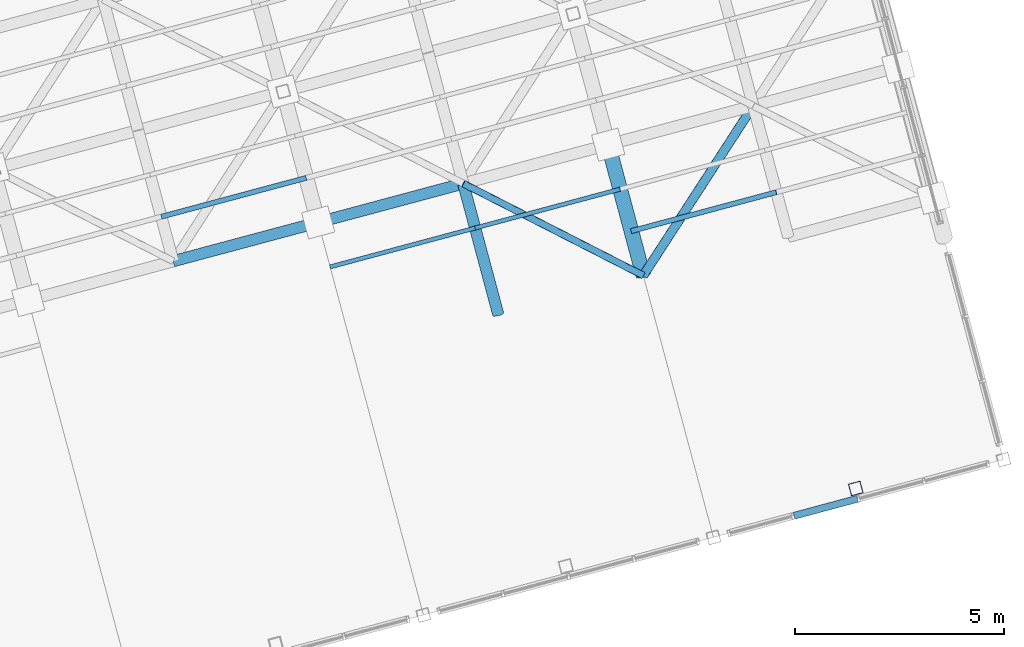
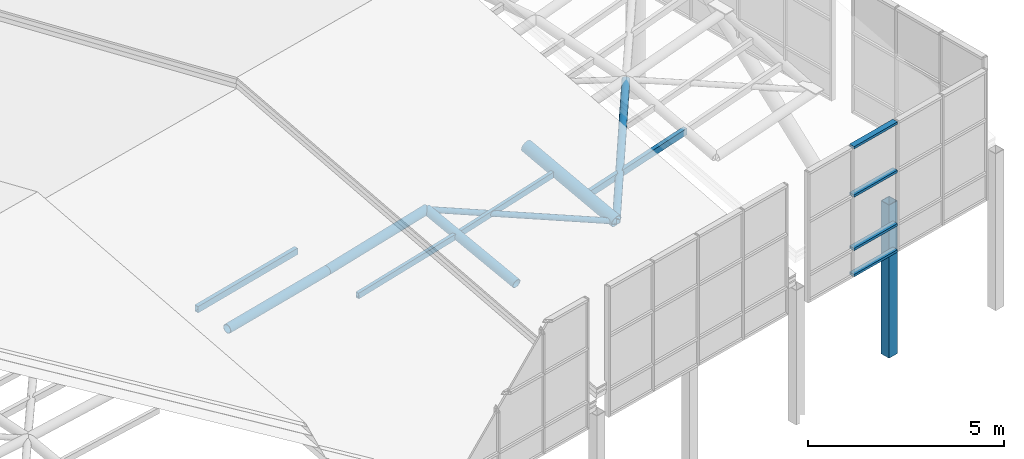
# One storey, part 14 of 28: 15 members, 1 element without a shape of its own.
"""IFC4 building model written with IfcOpenShell, lengths in metres."""

from ifc_helpers import new_model, si_unit, direction, frame, origin, origin_2d, place, context, subcontext, project, spatial, hollow_rectangle, hollow_circle, extrude, material, layer, layer_set, material_profile, profile_set, type_object, element, aggregate, save


model = new_model("IFC4")

# Units and contexts
model_context = context("Model", 3, precision=1e-05, world=origin(), true_north=direction((0.0, 1.0)))
body_context = subcontext(model_context, "Body", "Model", "MODEL_VIEW")
ifc_project = project(units=[si_unit("LENGTHUNIT", "METRE"), si_unit("AREAUNIT", "SQUARE_METRE"), si_unit("VOLUMEUNIT", "CUBIC_METRE"), si_unit("PLANEANGLEUNIT", "RADIAN"), si_unit("MASSUNIT", "GRAM", prefix="KILO")], contexts=[model_context])

# Site, building, storey
site_placement = place(None, origin())
site = spatial("IfcSite", under=ifc_project, at=site_placement, CompositionType="ELEMENT")
building_placement = place(site_placement, origin())
building = spatial("IfcBuilding", under=site, at=building_placement, Name="Ventoquebrada Cableway Terminal", CompositionType="ELEMENT")
storey_placement = place(building_placement, frame((0.0, 0.0, 23.39990234375)))
storey = spatial("IfcBuildingStorey", under=building, at=storey_placement, Name="RF", CompositionType="ELEMENT", Elevation=23.39990234375)

# Members
ifc_material_1 = material(Name="Steel ASTM A500 Grade C", Category="steel")
ifc_material_profile_1 = material_profile(ifc_material_1, hollow_circle(Radius=0.109619140625, WallThickness=0.010009765625, at=origin_2d()), Name="CHS219.1X10")
ifc_profile_set_1 = profile_set([ifc_material_profile_1], Name="Steel ASTM A500 Grade C")
member_type_1 = type_object("IfcMemberType", Name="BRC-GS01", PredefinedType="BRACE", material=ifc_profile_set_1)
member_1_placement = place(storey_placement, frame((78.114013671875, 83.51708984375, -0.587890625), z_axis=(0.531651860611, 0.821039466873, 0.207943484983), x_axis=(-0.839387776795, 0.543533035028, 0.0)))
element("IfcMember", 1, at=member_1_placement, inside=storey, type_object=member_type_1, Name="Saddle gridshell diagrid brace GBR-0391", PredefinedType="BRACE", context=body_context, shape_type="SweptSolid", body=[
    extrude(hollow_circle(Radius=0.109619140625, WallThickness=0.010009765625, at=origin_2d()), origin(), (0.0, 0.0, 1.0), 4.9580078125),
])
ifc_material_profile_2 = material_profile(ifc_material_1, hollow_circle(Radius=0.084228515625, WallThickness=0.008056640625, at=origin_2d()), Name="CHS168.3X8")
ifc_profile_set_2 = profile_set([ifc_material_profile_2], Name="Steel ASTM A500 Grade C")
member_type_2 = type_object("IfcMemberType", Name="BRC-GS02", PredefinedType="BRACE", material=ifc_profile_set_2)
member_2_placement = place(storey_placement, frame((73.7958984375, 85.72412109375, -0.04296875), z_axis=(0.884866256586, -0.452263863829, -0.11166514868), x_axis=(0.455110172756, 0.890435135568, 0.0)))
element("IfcMember", 2, at=member_2_placement, inside=storey, type_object=member_type_2, Name="Saddle gridshell diagrid brace GBR-0367", PredefinedType="BRACE", context=body_context, shape_type="SweptSolid", body=[
    extrude(hollow_circle(Radius=0.084228515625, WallThickness=0.008056640625, at=origin_2d()), origin(), (0.0, 0.0, 1.0), 4.8798828125),
])
ifc_material_profile_3 = material_profile(ifc_material_1, hollow_circle(Radius=0.177734375, WallThickness=0.012451171875, at=origin_2d()), Name="CHS355.6X12.5")
ifc_profile_set_3 = profile_set([ifc_material_profile_3], Name="Steel ASTM A500 Grade C")
member_type_3 = type_object("IfcMemberType", Name="CHD-GS01", PredefinedType="CHORD", material=ifc_profile_set_3)
member_3_placement = place(storey_placement, frame((78.114013671875, 83.51708984375, -0.587890625), z_axis=(-0.252237781762, 0.941370438351, 0.224048653757), x_axis=(-0.965926253902, -0.258817449225, 0.0)))
element("IfcMember", 3, at=member_3_placement, inside=storey, type_object=member_type_3, Name="Saddle gridshell arch chord GCH-0081", PredefinedType="CHORD", context=body_context, shape_type="SweptSolid", body=[
    extrude(hollow_circle(Radius=0.177734375, WallThickness=0.012451171875, at=origin_2d()), origin(), (0.0, 0.0, 1.0), 3.33447265625),
])
ifc_material_profile_4 = material_profile(ifc_material_1, hollow_circle(Radius=0.136474609375, WallThickness=0.012451171875, at=origin_2d()), Name="CHS273.0X12.5")
ifc_profile_set_4 = profile_set([ifc_material_profile_4], Name="Steel ASTM A500 Grade C")
member_type_4 = type_object("IfcMemberType", Name="CHD-GS02", PredefinedType="CHORD", material=ifc_profile_set_4)
member_4_placement = place(storey_placement, frame((74.636962890625, 82.5849609375, -0.75), z_axis=(-0.252883285288, 0.943852912113, 0.212583452596), x_axis=(-0.965931285943, -0.258798668539, 0.0)))
element("IfcMember", 4, at=member_4_placement, inside=storey, type_object=member_type_4, Name="Saddle gridshell arch chord GCH-0073", PredefinedType="CHORD", context=body_context, shape_type="SweptSolid", body=[
    extrude(hollow_circle(Radius=0.136474609375, WallThickness=0.012451171875, at=origin_2d()), origin(), (0.0, 0.0, 1.0), 3.325927734375),
])
member_5_placement = place(storey_placement, frame((66.841064453125, 83.861083984375, -0.204833984375), z_axis=(0.965916214788, 0.258604025206, 0.01139404045), x_axis=(-0.258620813366, 0.965978920523, 0.0)))
element("IfcMember", 5, at=member_5_placement, inside=storey, type_object=member_type_4, Name="Saddle gridshell longitudinal chord GLG-0138", PredefinedType="CHORD", context=body_context, shape_type="SweptSolid", body=[
    extrude(hollow_circle(Radius=0.136474609375, WallThickness=0.012451171875, at=origin_2d()), origin(), (0.0, 0.0, 1.0), 3.599853515625),
])
member_6_placement = place(storey_placement, frame((70.318115234375, 84.7919921875, -0.163818359375), z_axis=(0.96536417111, 0.258740639193, 0.033545473127), x_axis=(-0.258886342435, 0.96590779151, 0.0)))
element("IfcMember", 6, at=member_6_placement, inside=storey, type_object=member_type_4, Name="Saddle gridshell longitudinal chord GLG-0139", PredefinedType="CHORD", context=body_context, shape_type="SweptSolid", body=[
    extrude(hollow_circle(Radius=0.136474609375, WallThickness=0.012451171875, at=origin_2d()), origin(), (0.0, 0.0, 1.0), 3.6025390625),
])

# Curtain wall, members
ifc_material_2 = material(Name="Anodized thermally-broken aluminium", Category="aluminium")
ifc_layer = layer(ifc_material_2, 0.159912109375)
ifc_layer_set = layer_set([ifc_layer], Name="Anodized thermally-broken aluminium")
curtain_wall_type = type_object("IfcCurtainWallType", Name="CW-T48", PredefinedType="USERDEFINED", material=ifc_layer_set)
curtain_wall_placement = place(storey_placement, origin())
curtain_wall = element("IfcCurtainWall", 7, at=curtain_wall_placement, inside=storey, type_object=curtain_wall_type, Name="Unitised glazed curtain wall CW-155", ObjectType="UNITISED CURTAIN WALL", PredefinedType="USERDEFINED")
ifc_material_profile_5 = material_profile(ifc_material_2, hollow_rectangle(XDim=0.074951171875, YDim=0.169921875, WallThickness=0.00439453125, at=origin_2d()), Name="CW-TRN-75X170")
ifc_profile_set_5 = profile_set([ifc_material_profile_5], Name="Anodized thermally-broken aluminium")
member_type_5 = type_object("IfcMemberType", Name="CWT-03", PredefinedType="USERDEFINED", material=ifc_profile_set_5)
member_7_placement = place(storey_placement, frame((81.72900390625, 77.756103515625, -0.02001953125), z_axis=(0.965860816082, 0.259061544731, 0.0), x_axis=(0.0, 0.0, 1.0)))
member_7 = element("IfcMember", 8, at=member_7_placement, type_object=member_type_5, Name="Curtain wall transom FTR-2192", ObjectType="TRANSOM", PredefinedType="USERDEFINED", context=body_context, shape_type="SweptSolid", body=[
    extrude(hollow_rectangle(XDim=0.074951171875, YDim=0.169921875, WallThickness=0.00439453125, at=origin_2d()), origin(), (0.0, 0.0, 1.0), 1.57470703125),
])
member_8_placement = place(storey_placement, frame((81.72900390625, 77.756103515625, 0.795166015625), z_axis=(0.965860816082, 0.259061544731, 0.0), x_axis=(0.0, 0.0, 1.0)))
member_8 = element("IfcMember", 9, at=member_8_placement, type_object=member_type_5, Name="Curtain wall transom FTR-2193", ObjectType="TRANSOM", PredefinedType="USERDEFINED", context=body_context, shape_type="SweptSolid", body=[
    extrude(hollow_rectangle(XDim=0.074951171875, YDim=0.169921875, WallThickness=0.00439453125, at=origin_2d()), origin(), (0.0, 0.0, 1.0), 1.57470703125),
])
member_9_placement = place(storey_placement, frame((81.72900390625, 77.756103515625, 2.458984375), z_axis=(0.965860816082, 0.259061544731, 0.0), x_axis=(0.0, 0.0, 1.0)))
member_9 = element("IfcMember", 10, at=member_9_placement, type_object=member_type_5, Name="Curtain wall transom FTR-2194", ObjectType="TRANSOM", PredefinedType="USERDEFINED", context=body_context, shape_type="SweptSolid", body=[
    extrude(hollow_rectangle(XDim=0.074951171875, YDim=0.169921875, WallThickness=0.00439453125, at=origin_2d()), origin(), (0.0, 0.0, 1.0), 1.57470703125),
])
member_10_placement = place(storey_placement, frame((81.72900390625, 77.756103515625, 3.965087890625), z_axis=(0.965860816082, 0.259061544731, 0.0), x_axis=(0.0, 0.0, 1.0)))
member_10 = element("IfcMember", 11, at=member_10_placement, type_object=member_type_5, Name="Curtain wall transom FTR-2195", ObjectType="TRANSOM", PredefinedType="USERDEFINED", context=body_context, shape_type="SweptSolid", body=[
    extrude(hollow_rectangle(XDim=0.074951171875, YDim=0.169921875, WallThickness=0.00439453125, at=origin_2d()), origin(), (0.0, 0.0, 1.0), 1.57470703125),
])
aggregate(curtain_wall, [member_7, member_8, member_9, member_10])

# Members
ifc_material_profile_6 = material_profile(ifc_material_1, hollow_rectangle(XDim=0.300048828125, YDim=0.300048828125, WallThickness=0.01611328125, at=origin_2d()), Name="HSS300X300X16")
ifc_profile_set_6 = profile_set([ifc_material_profile_6], Name="Steel ASTM A500 Grade C")
member_type_6 = type_object("IfcMemberType", Name="PST-GS01", PredefinedType="STRUT", material=ifc_profile_set_6)
member_11_placement = place(storey_placement, frame((83.208984375, 78.410888671875, -3.39990234375), z_axis=(0.0, 0.0, 1.0), x_axis=(0.965925826289, 0.258819045103, 0.0)))
element("IfcMember", 12, at=member_11_placement, inside=storey, type_object=member_type_6, Name="Gridshell eaves support post PS-0462", PredefinedType="STRUT", context=body_context, shape_type="SweptSolid", body=[
    extrude(hollow_rectangle(XDim=0.300048828125, YDim=0.300048828125, WallThickness=0.01611328125, at=origin_2d()), origin(), (0.0, 0.0, 1.0), 4.76708984375),
])
ifc_material_profile_7 = material_profile(ifc_material_1, hollow_rectangle(XDim=0.1201171875, YDim=0.199951171875, WallThickness=0.008056640625, at=origin_2d()), Name="RHS200X120X8")
ifc_profile_set_7 = profile_set([ifc_material_profile_7], Name="Steel ASTM A500 Grade C")
member_type_7 = type_object("IfcMemberType", Name="PUR-RF01", PredefinedType="PURLIN", material=ifc_profile_set_7)
member_12_placement = place(storey_placement, frame((66.554931640625, 84.927978515625, -0.12890625), z_axis=(0.965828444161, 0.258919603975, 0.011664267125), x_axis=(-0.258937219442, 0.965894153822, 0.0)))
element("IfcMember", 13, at=member_12_placement, inside=storey, type_object=member_type_7, Name="Gridshell secondary roof purlin GPR-0323", PredefinedType="PURLIN", context=body_context, shape_type="SweptSolid", body=[
    extrude(hollow_rectangle(XDim=0.1201171875, YDim=0.199951171875, WallThickness=0.008056640625, at=origin_2d()), origin(), (0.0, 0.0, 1.0), 3.60009765625),
])
member_13_placement = place(storey_placement, frame((77.827880859375, 84.583984375, -0.333984375), z_axis=(0.963664315838, 0.258266907052, 0.0681857104), x_axis=(-0.258869387716, 0.96591233562, 0.0)))
element("IfcMember", 14, at=member_13_placement, inside=storey, type_object=member_type_7, Name="Gridshell secondary roof purlin GPR-0392", PredefinedType="PURLIN", context=body_context, shape_type="SweptSolid", body=[
    extrude(hollow_rectangle(XDim=0.1201171875, YDim=0.199951171875, WallThickness=0.008056640625, at=origin_2d()), origin(), (0.0, 0.0, 1.0), 3.609130859375),
])
ifc_material_profile_8 = material_profile(ifc_material_1, hollow_rectangle(XDim=0.10009765625, YDim=0.179931640625, WallThickness=0.008056640625, at=origin_2d()), Name="RHS180X100X8")
ifc_profile_set_8 = profile_set([ifc_material_profile_8], Name="Steel ASTM A500 Grade C")
member_type_8 = type_object("IfcMemberType", Name="PUR-RF02", PredefinedType="PURLIN", material=ifc_profile_set_8)
member_14_placement = place(storey_placement, frame((70.60400390625, 83.72509765625, -0.39697265625), z_axis=(0.96544541887, 0.258676482088, 0.031648393276), x_axis=(-0.25880612736, 0.965929287495, 0.0)))
element("IfcMember", 15, at=member_14_placement, inside=storey, type_object=member_type_8, Name="Gridshell secondary roof purlin GPR-0345", PredefinedType="PURLIN", context=body_context, shape_type="SweptSolid", body=[
    extrude(hollow_rectangle(XDim=0.10009765625, YDim=0.179931640625, WallThickness=0.008056640625, at=origin_2d()), origin(), (0.0, 0.0, 1.0), 3.6025390625),
])
member_15_placement = place(storey_placement, frame((74.08203125, 84.656982421875, -0.282958984375), z_axis=(0.96457980408, 0.258584868135, 0.052150431761), x_axis=(-0.258937219442, 0.965894153822, 0.0)))
element("IfcMember", 16, at=member_15_placement, inside=storey, type_object=member_type_8, Name="Gridshell secondary roof purlin GPR-0369", PredefinedType="PURLIN", context=body_context, shape_type="SweptSolid", body=[
    extrude(hollow_rectangle(XDim=0.10009765625, YDim=0.179931640625, WallThickness=0.008056640625, at=origin_2d()), origin(), (0.0, 0.0, 1.0), 3.604736328125),
])

save(model, "model.ifc")
